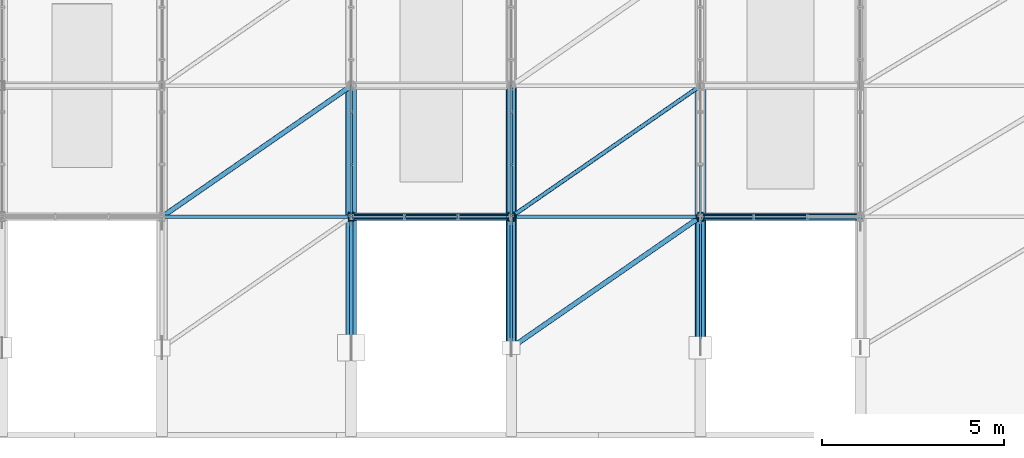
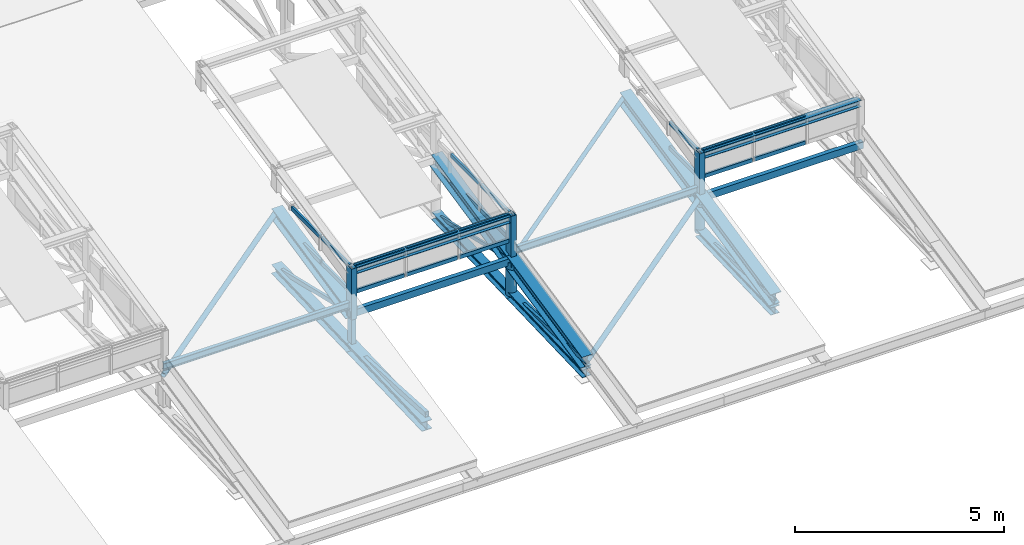
# One storey, part 35 of 124: 50 members, 5 elements without a shape of their own.
"""IFC4 building model written with IfcOpenShell, lengths in metres."""

from ifc_helpers import new_model, si_unit, direction, frame, origin, origin_2d, place, context, subcontext, project, spatial, hollow_rectangle, hollow_circle, i_section, extrude, material, layer, layer_set, material_profile, profile_set, type_object, element, aggregate, save


model = new_model("IFC4")

# Units and contexts
model_context = context("Model", 3, precision=1e-05, world=origin(), true_north=direction((0.0, 1.0)))
body_context = subcontext(model_context, "Body", "Model", "MODEL_VIEW")
ifc_project = project(units=[si_unit("LENGTHUNIT", "METRE"), si_unit("AREAUNIT", "SQUARE_METRE"), si_unit("VOLUMEUNIT", "CUBIC_METRE"), si_unit("PLANEANGLEUNIT", "RADIAN"), si_unit("MASSUNIT", "GRAM", prefix="KILO"), si_unit("THERMODYNAMICTEMPERATUREUNIT", "KELVIN"), si_unit("POWERUNIT", "WATT")], contexts=[model_context])

# Site, building, storey
site_placement = place(None, origin())
site = spatial("IfcSite", under=ifc_project, at=site_placement, CompositionType="ELEMENT")
building_placement = place(site_placement, origin())
building = spatial("IfcBuilding", under=site, at=building_placement, Name="Tavuni Mirador Residences", CompositionType="ELEMENT")
storey_placement = place(building_placement, frame((0.0, 0.0, 7.64990234375)))
storey = spatial("IfcBuildingStorey", under=building, at=storey_placement, Name="L02", CompositionType="ELEMENT", Elevation=7.64990234375)

# Curtain wall, members
ifc_material_1 = material(Name="Anodised aluminium", Category="aluminium")
ifc_layer = layer(ifc_material_1, 0.199951171875, Name="Anodised aluminium", Category="aluminium")
ifc_layer_set = layer_set([ifc_layer], Name="Anodised aluminium")
curtain_wall_type = type_object("IfcCurtainWallType", Name="CWT-HAL-01", PredefinedType="NOTDEFINED", material=ifc_layer_set)
curtain_wall_1_placement = place(storey_placement, origin())
curtain_wall_1 = element("IfcCurtainWall", 1, at=curtain_wall_1_placement, inside=storey, type_object=curtain_wall_type, Name="CW-HALL-MON-S2-W", PredefinedType="NOTDEFINED")
ifc_material_profile_1 = material_profile(ifc_material_1, hollow_rectangle(XDim=0.06005859375, YDim=0.110107421875, WallThickness=0.00390625, at=origin_2d()), Name="ALU 60x110x4.0", Category="aluminium")
ifc_profile_set_1 = profile_set([ifc_material_profile_1], Name="Anodised aluminium")
member_type_1 = type_object("IfcMemberType", Name="CWT-110", PredefinedType="USERDEFINED", material=ifc_profile_set_1)
member_1_placement = place(storey_placement, frame((54.39990234375, 75.659912109375, 1.205078125), z_axis=(0.0, 1.0, 0.0), x_axis=(-1.0, 0.0, 0.0)))
member_1 = element("IfcMember", 2, at=member_1_placement, type_object=member_type_1, Name="CW-06 transom 1.1", ObjectType="TRANSOM", PredefinedType="USERDEFINED", context=body_context, shape_type="SweptSolid", body=[
    extrude(hollow_rectangle(XDim=0.06005859375, YDim=0.110107421875, WallThickness=0.00390625, at=origin_2d()), origin(), (0.0, 0.0, 1.0), 1.35009765625),
])
member_2_placement = place(storey_placement, frame((54.39990234375, 75.659912109375, 1.93505859375), z_axis=(0.0, 1.0, 0.0), x_axis=(-1.0, 0.0, 0.0)))
member_2 = element("IfcMember", 3, at=member_2_placement, type_object=member_type_1, Name="CW-06 transom 1.2", ObjectType="TRANSOM", PredefinedType="USERDEFINED", context=body_context, shape_type="SweptSolid", body=[
    extrude(hollow_rectangle(XDim=0.06005859375, YDim=0.110107421875, WallThickness=0.00390625, at=origin_2d()), origin(), (0.0, 0.0, 1.0), 1.35009765625),
])
member_3_placement = place(storey_placement, frame((54.39990234375, 77.070068359375, 1.205078125), z_axis=(0.0, 1.0, 0.0), x_axis=(-1.0, 0.0, 0.0)))
member_3 = element("IfcMember", 4, at=member_3_placement, type_object=member_type_1, Name="CW-06 transom 2.1", ObjectType="TRANSOM", PredefinedType="USERDEFINED", context=body_context, shape_type="SweptSolid", body=[
    extrude(hollow_rectangle(XDim=0.06005859375, YDim=0.110107421875, WallThickness=0.00390625, at=origin_2d()), origin(), (0.0, 0.0, 1.0), 1.3798828125),
])
member_4_placement = place(storey_placement, frame((54.39990234375, 77.070068359375, 1.93505859375), z_axis=(0.0, 1.0, 0.0), x_axis=(-1.0, 0.0, 0.0)))
member_4 = element("IfcMember", 5, at=member_4_placement, type_object=member_type_1, Name="CW-06 transom 2.2", ObjectType="TRANSOM", PredefinedType="USERDEFINED", context=body_context, shape_type="SweptSolid", body=[
    extrude(hollow_rectangle(XDim=0.06005859375, YDim=0.110107421875, WallThickness=0.00390625, at=origin_2d()), origin(), (0.0, 0.0, 1.0), 1.3798828125),
])
aggregate(curtain_wall_1, [member_1, member_2, member_3, member_4])

curtain_wall_2_placement = place(storey_placement, origin())
curtain_wall_2 = element("IfcCurtainWall", 6, at=curtain_wall_2_placement, inside=storey, type_object=curtain_wall_type, Name="CW-HALL-MON-S2-E", PredefinedType="NOTDEFINED")
member_5_placement = place(storey_placement, frame((58.800048828125, 75.659912109375, 1.205078125), z_axis=(0.0, 1.0, 0.0), x_axis=(-1.0, 0.0, 0.0)))
member_5 = element("IfcMember", 7, at=member_5_placement, type_object=member_type_1, Name="CW-06 transom 1.1", ObjectType="TRANSOM", PredefinedType="USERDEFINED", context=body_context, shape_type="SweptSolid", body=[
    extrude(hollow_rectangle(XDim=0.06005859375, YDim=0.110107421875, WallThickness=0.00390625, at=origin_2d()), origin(), (0.0, 0.0, 1.0), 1.35009765625),
])
member_6_placement = place(storey_placement, frame((58.800048828125, 75.659912109375, 1.93505859375), z_axis=(0.0, 1.0, 0.0), x_axis=(-1.0, 0.0, 0.0)))
member_6 = element("IfcMember", 8, at=member_6_placement, type_object=member_type_1, Name="CW-06 transom 1.2", ObjectType="TRANSOM", PredefinedType="USERDEFINED", context=body_context, shape_type="SweptSolid", body=[
    extrude(hollow_rectangle(XDim=0.06005859375, YDim=0.110107421875, WallThickness=0.00390625, at=origin_2d()), origin(), (0.0, 0.0, 1.0), 1.35009765625),
])
member_7_placement = place(storey_placement, frame((58.800048828125, 77.070068359375, 1.205078125), z_axis=(0.0, 1.0, 0.0), x_axis=(-1.0, 0.0, 0.0)))
member_7 = element("IfcMember", 9, at=member_7_placement, type_object=member_type_1, Name="CW-06 transom 2.1", ObjectType="TRANSOM", PredefinedType="USERDEFINED", context=body_context, shape_type="SweptSolid", body=[
    extrude(hollow_rectangle(XDim=0.06005859375, YDim=0.110107421875, WallThickness=0.00390625, at=origin_2d()), origin(), (0.0, 0.0, 1.0), 1.3798828125),
])
member_8_placement = place(storey_placement, frame((58.800048828125, 77.070068359375, 1.93505859375), z_axis=(0.0, 1.0, 0.0), x_axis=(-1.0, 0.0, 0.0)))
member_8 = element("IfcMember", 10, at=member_8_placement, type_object=member_type_1, Name="CW-06 transom 2.2", ObjectType="TRANSOM", PredefinedType="USERDEFINED", context=body_context, shape_type="SweptSolid", body=[
    extrude(hollow_rectangle(XDim=0.06005859375, YDim=0.110107421875, WallThickness=0.00390625, at=origin_2d()), origin(), (0.0, 0.0, 1.0), 1.3798828125),
])
aggregate(curtain_wall_2, [member_5, member_6, member_7, member_8])

curtain_wall_3_placement = place(storey_placement, origin())
curtain_wall_3 = element("IfcCurtainWall", 11, at=curtain_wall_3_placement, inside=storey, type_object=curtain_wall_type, Name="CW-HALL-MON-S2-END", PredefinedType="NOTDEFINED")
member_9_placement = place(storey_placement, frame((54.4599609375, 75.60009765625, 1.205078125), z_axis=(1.0, 0.0, 0.0), x_axis=(0.0, 1.0, 0.0)))
member_9 = element("IfcMember", 12, at=member_9_placement, type_object=member_type_1, Name="CW-06 transom 1.1", ObjectType="TRANSOM", PredefinedType="USERDEFINED", context=body_context, shape_type="SweptSolid", body=[
    extrude(hollow_rectangle(XDim=0.06005859375, YDim=0.110107421875, WallThickness=0.00390625, at=origin_2d()), origin(), (0.0, 0.0, 1.0), 1.376708984375),
])
member_10_placement = place(storey_placement, frame((54.4599609375, 75.60009765625, 1.93505859375), z_axis=(1.0, 0.0, 0.0), x_axis=(0.0, 1.0, 0.0)))
member_10 = element("IfcMember", 13, at=member_10_placement, type_object=member_type_1, Name="CW-06 transom 1.2", ObjectType="TRANSOM", PredefinedType="USERDEFINED", context=body_context, shape_type="SweptSolid", body=[
    extrude(hollow_rectangle(XDim=0.06005859375, YDim=0.110107421875, WallThickness=0.00390625, at=origin_2d()), origin(), (0.0, 0.0, 1.0), 1.376708984375),
])
member_11_placement = place(storey_placement, frame((55.896728515625, 75.60009765625, 1.205078125), z_axis=(1.0, 0.0, 0.0), x_axis=(0.0, 1.0, 0.0)))
member_11 = element("IfcMember", 14, at=member_11_placement, type_object=member_type_1, Name="CW-06 transom 2.1", ObjectType="TRANSOM", PredefinedType="USERDEFINED", context=body_context, shape_type="SweptSolid", body=[
    extrude(hollow_rectangle(XDim=0.06005859375, YDim=0.110107421875, WallThickness=0.00390625, at=origin_2d()), origin(), (0.0, 0.0, 1.0), 1.406494140625),
])
member_12_placement = place(storey_placement, frame((55.896728515625, 75.60009765625, 1.93505859375), z_axis=(1.0, 0.0, 0.0), x_axis=(0.0, 1.0, 0.0)))
member_12 = element("IfcMember", 15, at=member_12_placement, type_object=member_type_1, Name="CW-06 transom 2.2", ObjectType="TRANSOM", PredefinedType="USERDEFINED", context=body_context, shape_type="SweptSolid", body=[
    extrude(hollow_rectangle(XDim=0.06005859375, YDim=0.110107421875, WallThickness=0.00390625, at=origin_2d()), origin(), (0.0, 0.0, 1.0), 1.406494140625),
])
member_13_placement = place(storey_placement, frame((57.36328125, 75.60009765625, 1.205078125), z_axis=(1.0, 0.0, 0.0), x_axis=(0.0, 1.0, 0.0)))
member_13 = element("IfcMember", 16, at=member_13_placement, type_object=member_type_1, Name="CW-06 transom 3.1", ObjectType="TRANSOM", PredefinedType="USERDEFINED", context=body_context, shape_type="SweptSolid", body=[
    extrude(hollow_rectangle(XDim=0.06005859375, YDim=0.110107421875, WallThickness=0.00390625, at=origin_2d()), origin(), (0.0, 0.0, 1.0), 1.376708984375),
])
member_14_placement = place(storey_placement, frame((57.36328125, 75.60009765625, 1.93505859375), z_axis=(1.0, 0.0, 0.0), x_axis=(0.0, 1.0, 0.0)))
member_14 = element("IfcMember", 17, at=member_14_placement, type_object=member_type_1, Name="CW-06 transom 3.2", ObjectType="TRANSOM", PredefinedType="USERDEFINED", context=body_context, shape_type="SweptSolid", body=[
    extrude(hollow_rectangle(XDim=0.06005859375, YDim=0.110107421875, WallThickness=0.00390625, at=origin_2d()), origin(), (0.0, 0.0, 1.0), 1.376708984375),
])
aggregate(curtain_wall_3, [member_9, member_10, member_11, member_12, member_13, member_14])

curtain_wall_4_placement = place(storey_placement, origin())
curtain_wall_4 = element("IfcCurtainWall", 18, at=curtain_wall_4_placement, inside=storey, type_object=curtain_wall_type, Name="CW-HALL-MON-S3-W", PredefinedType="NOTDEFINED")
member_15_placement = place(storey_placement, frame((64.0, 75.659912109375, 1.205078125), z_axis=(0.0, 1.0, 0.0), x_axis=(-1.0, 0.0, 0.0)))
member_15 = element("IfcMember", 19, at=member_15_placement, type_object=member_type_1, Name="CW-06 transom 1.1", ObjectType="TRANSOM", PredefinedType="USERDEFINED", context=body_context, shape_type="SweptSolid", body=[
    extrude(hollow_rectangle(XDim=0.06005859375, YDim=0.110107421875, WallThickness=0.00390625, at=origin_2d()), origin(), (0.0, 0.0, 1.0), 1.35009765625),
])
member_16_placement = place(storey_placement, frame((64.0, 75.659912109375, 1.93505859375), z_axis=(0.0, 1.0, 0.0), x_axis=(-1.0, 0.0, 0.0)))
member_16 = element("IfcMember", 20, at=member_16_placement, type_object=member_type_1, Name="CW-06 transom 1.2", ObjectType="TRANSOM", PredefinedType="USERDEFINED", context=body_context, shape_type="SweptSolid", body=[
    extrude(hollow_rectangle(XDim=0.06005859375, YDim=0.110107421875, WallThickness=0.00390625, at=origin_2d()), origin(), (0.0, 0.0, 1.0), 1.35009765625),
])
aggregate(curtain_wall_4, [member_15, member_16])

curtain_wall_5_placement = place(storey_placement, origin())
curtain_wall_5 = element("IfcCurtainWall", 21, at=curtain_wall_5_placement, inside=storey, type_object=curtain_wall_type, Name="CW-HALL-MON-S3-END", PredefinedType="NOTDEFINED")
member_17_placement = place(storey_placement, frame((64.06005859375, 75.60009765625, 1.205078125), z_axis=(1.0, 0.0, 0.0), x_axis=(0.0, 1.0, 0.0)))
member_17 = element("IfcMember", 22, at=member_17_placement, type_object=member_type_1, Name="CW-06 transom 1.1", ObjectType="TRANSOM", PredefinedType="USERDEFINED", context=body_context, shape_type="SweptSolid", body=[
    extrude(hollow_rectangle(XDim=0.06005859375, YDim=0.110107421875, WallThickness=0.00390625, at=origin_2d()), origin(), (0.0, 0.0, 1.0), 1.376708984375),
])
member_18_placement = place(storey_placement, frame((64.06005859375, 75.60009765625, 1.93505859375), z_axis=(1.0, 0.0, 0.0), x_axis=(0.0, 1.0, 0.0)))
member_18 = element("IfcMember", 23, at=member_18_placement, type_object=member_type_1, Name="CW-06 transom 1.2", ObjectType="TRANSOM", PredefinedType="USERDEFINED", context=body_context, shape_type="SweptSolid", body=[
    extrude(hollow_rectangle(XDim=0.06005859375, YDim=0.110107421875, WallThickness=0.00390625, at=origin_2d()), origin(), (0.0, 0.0, 1.0), 1.376708984375),
])
member_19_placement = place(storey_placement, frame((65.49658203125, 75.60009765625, 1.205078125), z_axis=(1.0, 0.0, 0.0), x_axis=(0.0, 1.0, 0.0)))
member_19 = element("IfcMember", 24, at=member_19_placement, type_object=member_type_1, Name="CW-06 transom 2.1", ObjectType="TRANSOM", PredefinedType="USERDEFINED", context=body_context, shape_type="SweptSolid", body=[
    extrude(hollow_rectangle(XDim=0.06005859375, YDim=0.110107421875, WallThickness=0.00390625, at=origin_2d()), origin(), (0.0, 0.0, 1.0), 1.40673828125),
])
member_20_placement = place(storey_placement, frame((65.49658203125, 75.60009765625, 1.93505859375), z_axis=(1.0, 0.0, 0.0), x_axis=(0.0, 1.0, 0.0)))
member_20 = element("IfcMember", 25, at=member_20_placement, type_object=member_type_1, Name="CW-06 transom 2.2", ObjectType="TRANSOM", PredefinedType="USERDEFINED", context=body_context, shape_type="SweptSolid", body=[
    extrude(hollow_rectangle(XDim=0.06005859375, YDim=0.110107421875, WallThickness=0.00390625, at=origin_2d()), origin(), (0.0, 0.0, 1.0), 1.40673828125),
])
aggregate(curtain_wall_5, [member_17, member_18, member_19, member_20])

# Members
ifc_material_2 = material(Name="Structural steel S355", Category="steel")
ifc_material_profile_2 = material_profile(ifc_material_2, hollow_circle(Radius=0.05712890625, WallThickness=0.00634765625, at=origin_2d()), Name="CHS 114.3x6.3", Category="steel")
ifc_profile_set_2 = profile_set([ifc_material_profile_2], Name="Structural steel S355")
member_type_2 = type_object("IfcMemberType", Name="MT-BR-CHS114", PredefinedType="BRACE", material=ifc_profile_set_2)
member_21_placement = place(storey_placement, frame((58.800048828125, 75.60009765625, 0.60498046875), z_axis=(0.816093743488, 0.564970291926, 0.121653487749), x_axis=(-0.569197934703, 0.822200529755, 0.0)))
element("IfcMember", 26, at=member_21_placement, inside=storey, type_object=member_type_2, Name="HALL-RB-3-02", PredefinedType="BRACE", context=body_context, shape_type="SweptSolid", body=[
    extrude(hollow_circle(Radius=0.05712890625, WallThickness=0.00634765625, at=origin_2d()), origin(), (0.0, 0.0, 1.0), 6.371826171875),
])
ifc_material_profile_3 = material_profile(ifc_material_2, hollow_circle(Radius=0.06982421875, WallThickness=0.008056640625, at=origin_2d()), Name="CHS 139.7x8.0", Category="steel")
ifc_profile_set_3 = profile_set([ifc_material_profile_3], Name="Structural steel S355")
member_type_3 = type_object("IfcMemberType", Name="MT-BR-CHS139", PredefinedType="BRACE", material=ifc_profile_set_3)
for number, where, z_axis, x_axis, name in (
    (27, (49.199951171875, 75.60009765625, 0.60498046875), (0.816093743488, 0.564970291926, 0.121653487749), (-0.569197934703, 0.822200529755, 0.0), "HALL-RB-2-02"),
    (28, (58.800048828125, 72.0, -0.169921875), (0.81607988035, 0.564999010077, 0.12161310579), (-0.569224029849, 0.822182463838, 0.0), "HALL-RB-3-01"),
):
    element("IfcMember", number, at=place(storey_placement, frame(where, z_axis=z_axis, x_axis=x_axis)), inside=storey, type_object=member_type_3, Name=name, PredefinedType="BRACE", context=body_context, shape_type="SweptSolid", body=[
        extrude(hollow_circle(Radius=0.06982421875, WallThickness=0.008056640625, at=origin_2d()), origin(), (0.0, 0.0, 1.0), 6.371826171875),
    ])
ifc_material_profile_4 = material_profile(ifc_material_2, hollow_rectangle(XDim=0.06005859375, YDim=0.10009765625, WallThickness=0.0048828125, at=origin_2d()), Name="RHS 100x60x5.0", Category="steel")
ifc_profile_set_4 = profile_set([ifc_material_profile_4], Name="Structural steel S355")
member_type_4 = type_object("IfcMemberType", Name="MT-BR-RHS100", PredefinedType="BRACE", material=ifc_profile_set_4)
member_22_placement = place(storey_placement, frame((58.800048828125, 75.60009765625, 0.60498046875), z_axis=(0.0, 0.972935623557, -0.231076334601), x_axis=(-1.0, 0.0, 0.0)))
element("IfcMember", 29, at=member_22_placement, inside=storey, type_object=member_type_4, Name="Roof truss TR-5 web diagonal 2", PredefinedType="BRACE", context=body_context, shape_type="SweptSolid", body=[
    extrude(hollow_rectangle(XDim=0.06005859375, YDim=0.10009765625, WallThickness=0.0048828125, at=origin_2d()), origin(), (0.0, 0.0, 1.0), 3.699951171875),
])
member_23_placement = place(storey_placement, frame((64.0, 72.0, -0.169921875), z_axis=(0.0, 0.998381455169, -0.05687240081), x_axis=(-1.0, 0.0, 0.0)))
element("IfcMember", 30, at=member_23_placement, inside=storey, type_object=member_type_4, Name="Roof truss TR-6 web diagonal 1", PredefinedType="BRACE", context=body_context, shape_type="SweptSolid", body=[
    extrude(hollow_rectangle(XDim=0.06005859375, YDim=0.10009765625, WallThickness=0.0048828125, at=origin_2d()), origin(), (0.0, 0.0, 1.0), 3.60595703125),
])
ifc_material_profile_5 = material_profile(ifc_material_2, hollow_rectangle(XDim=0.080078125, YDim=0.1201171875, WallThickness=0.00634765625, at=origin_2d()), Name="RHS 120x80x6.3", Category="steel")
ifc_profile_set_5 = profile_set([ifc_material_profile_5], Name="Structural steel S355")
member_type_5 = type_object("IfcMemberType", Name="MT-BR-RHS120", PredefinedType="BRACE", material=ifc_profile_set_5)
member_24_placement = place(storey_placement, frame((54.39990234375, 75.60009765625, 0.60498046875), z_axis=(0.0, 0.972935623557, -0.231076334601), x_axis=(-1.0, 0.0, 0.0)))
element("IfcMember", 31, at=member_24_placement, inside=storey, type_object=member_type_5, Name="Roof truss TR-4 web diagonal 2", PredefinedType="BRACE", context=body_context, shape_type="SweptSolid", body=[
    extrude(hollow_rectangle(XDim=0.080078125, YDim=0.1201171875, WallThickness=0.00634765625, at=origin_2d()), origin(), (0.0, 0.0, 1.0), 3.699951171875),
])
member_25_placement = place(storey_placement, frame((58.800048828125, 72.0, -0.169921875), z_axis=(0.0, 0.998381455169, -0.05687240081), x_axis=(-1.0, 0.0, 0.0)))
element("IfcMember", 32, at=member_25_placement, inside=storey, type_object=member_type_5, Name="Roof truss TR-5 web diagonal 1", PredefinedType="BRACE", context=body_context, shape_type="SweptSolid", body=[
    extrude(hollow_rectangle(XDim=0.080078125, YDim=0.1201171875, WallThickness=0.00634765625, at=origin_2d()), origin(), (0.0, 0.0, 1.0), 3.60595703125),
])
ifc_material_profile_6 = material_profile(ifc_material_2, hollow_rectangle(XDim=0.10009765625, YDim=0.14990234375, WallThickness=0.008056640625, at=origin_2d()), Name="RHS 150x100x8.0", Category="steel")
ifc_profile_set_6 = profile_set([ifc_material_profile_6], Name="Structural steel S355")
member_type_6 = type_object("IfcMemberType", Name="MT-BR-RHS150", PredefinedType="BRACE", material=ifc_profile_set_6)
member_26_placement = place(storey_placement, frame((54.39990234375, 72.0, -0.169921875), z_axis=(0.0, 0.998381455169, -0.05687240081), x_axis=(-1.0, 0.0, 0.0)))
element("IfcMember", 33, at=member_26_placement, inside=storey, type_object=member_type_6, Name="Roof truss TR-4 web diagonal 1", PredefinedType="BRACE", context=body_context, shape_type="SweptSolid", body=[
    extrude(hollow_rectangle(XDim=0.10009765625, YDim=0.14990234375, WallThickness=0.008056640625, at=origin_2d()), origin(), (0.0, 0.0, 1.0), 3.60595703125),
])
ifc_material_profile_7 = material_profile(ifc_material_2, i_section(OverallWidth=0.239990234375, OverallDepth=0.22998046875, WebThickness=0.007568359375, FlangeThickness=0.011962890625, FilletRadius=0.02099609375, at=origin_2d()), Name="HEA 240", Category="steel")
ifc_profile_set_7 = profile_set([ifc_material_profile_7], Name="Structural steel S355")
member_type_7 = type_object("IfcMemberType", Name="MT-CH-HEA240", PredefinedType="CHORD", material=ifc_profile_set_7)
member_27_placement = place(storey_placement, frame((58.800048828125, 72.0, -0.5), z_axis=(0.0, 0.999397760821, 0.034700369832), x_axis=(-1.0, 0.0, 0.0)))
element("IfcMember", 34, at=member_27_placement, inside=storey, type_object=member_type_7, Name="Roof truss TR-5 bottom chord 1", PredefinedType="CHORD", context=body_context, shape_type="SweptSolid", body=[
    extrude(i_section(OverallWidth=0.239990234375, OverallDepth=0.22998046875, WebThickness=0.007568359375, FlangeThickness=0.011962890625, FilletRadius=0.02099609375, at=origin_2d()), origin(), (0.0, 0.0, 1.0), 3.602294921875),
])
member_28_placement = place(storey_placement, frame((58.800048828125, 75.60009765625, -0.375), z_axis=(0.0, 0.999397679205, 0.034702720363), x_axis=(-1.0, 0.0, 0.0)))
element("IfcMember", 35, at=member_28_placement, inside=storey, type_object=member_type_7, Name="Roof truss TR-5 bottom chord 2", PredefinedType="CHORD", context=body_context, shape_type="SweptSolid", body=[
    extrude(i_section(OverallWidth=0.239990234375, OverallDepth=0.22998046875, WebThickness=0.007568359375, FlangeThickness=0.011962890625, FilletRadius=0.02099609375, at=origin_2d()), origin(), (0.0, 0.0, 1.0), 3.60205078125),
])
member_29_placement = place(storey_placement, frame((64.0, 72.0, -0.5), z_axis=(0.0, 0.999397760821, 0.034700369832), x_axis=(-1.0, 0.0, 0.0)))
element("IfcMember", 36, at=member_29_placement, inside=storey, type_object=member_type_7, Name="Roof truss TR-6 bottom chord 1", PredefinedType="CHORD", context=body_context, shape_type="SweptSolid", body=[
    extrude(i_section(OverallWidth=0.239990234375, OverallDepth=0.22998046875, WebThickness=0.007568359375, FlangeThickness=0.011962890625, FilletRadius=0.02099609375, at=origin_2d()), origin(), (0.0, 0.0, 1.0), 3.602294921875),
])
ifc_material_profile_8 = material_profile(ifc_material_2, i_section(OverallWidth=0.280029296875, OverallDepth=0.27001953125, WebThickness=0.008056640625, FlangeThickness=0.012939453125, FilletRadius=0.02392578125, at=origin_2d()), Name="HEA 280", Category="steel")
ifc_profile_set_8 = profile_set([ifc_material_profile_8], Name="Structural steel S355")
member_type_8 = type_object("IfcMemberType", Name="MT-CH-HEA280", PredefinedType="CHORD", material=ifc_profile_set_8)
member_30_placement = place(storey_placement, frame((54.39990234375, 72.0, -0.5), z_axis=(0.0, 0.999397760821, 0.034700369832), x_axis=(-1.0, 0.0, 0.0)))
element("IfcMember", 37, at=member_30_placement, inside=storey, type_object=member_type_8, Name="Roof truss TR-4 bottom chord 1", PredefinedType="CHORD", context=body_context, shape_type="SweptSolid", body=[
    extrude(i_section(OverallWidth=0.280029296875, OverallDepth=0.27001953125, WebThickness=0.008056640625, FlangeThickness=0.012939453125, FilletRadius=0.02392578125, at=origin_2d()), origin(), (0.0, 0.0, 1.0), 3.602294921875),
])
member_31_placement = place(storey_placement, frame((54.39990234375, 75.60009765625, -0.375), z_axis=(0.0, 0.999397679205, 0.034702720363), x_axis=(-1.0, 0.0, 0.0)))
element("IfcMember", 38, at=member_31_placement, inside=storey, type_object=member_type_8, Name="Roof truss TR-4 bottom chord 2", PredefinedType="CHORD", context=body_context, shape_type="SweptSolid", body=[
    extrude(i_section(OverallWidth=0.280029296875, OverallDepth=0.27001953125, WebThickness=0.008056640625, FlangeThickness=0.012939453125, FilletRadius=0.02392578125, at=origin_2d()), origin(), (0.0, 0.0, 1.0), 3.60205078125),
])
ifc_material_profile_9 = material_profile(ifc_material_2, i_section(OverallWidth=0.300048828125, OverallDepth=0.389892578125, WebThickness=0.010986328125, FlangeThickness=0.01904296875, FilletRadius=0.027099609375, at=origin_2d()), Name="HEA 400", Category="steel")
ifc_profile_set_9 = profile_set([ifc_material_profile_9], Name="Structural steel S355")
member_type_9 = type_object("IfcMemberType", Name="MT-CH-HEA400", PredefinedType="CHORD", material=ifc_profile_set_9)
member_32_placement = place(storey_placement, frame((58.800048828125, 72.0, -0.169921875), z_axis=(0.0, 0.977609904647, 0.210425460284), x_axis=(-1.0, 0.0, 0.0)))
element("IfcMember", 39, at=member_32_placement, inside=storey, type_object=member_type_9, Name="Roof truss TR-5 top chord 1", PredefinedType="CHORD", context=body_context, shape_type="SweptSolid", body=[
    extrude(i_section(OverallWidth=0.300048828125, OverallDepth=0.389892578125, WebThickness=0.010986328125, FlangeThickness=0.01904296875, FilletRadius=0.027099609375, at=origin_2d()), origin(), (0.0, 0.0, 1.0), 3.6826171875),
])
member_33_placement = place(storey_placement, frame((58.800048828125, 75.60009765625, 0.60498046875), z_axis=(0.0, 0.977593327089, 0.210502462768), x_axis=(-1.0, 0.0, 0.0)))
element("IfcMember", 40, at=member_33_placement, inside=storey, type_object=member_type_9, Name="Roof truss TR-5 top chord 2", PredefinedType="CHORD", context=body_context, shape_type="SweptSolid", body=[
    extrude(i_section(OverallWidth=0.300048828125, OverallDepth=0.389892578125, WebThickness=0.010986328125, FlangeThickness=0.01904296875, FilletRadius=0.027099609375, at=origin_2d()), origin(), (0.0, 0.0, 1.0), 3.682373046875),
])
member_34_placement = place(storey_placement, frame((64.0, 72.0, -0.169921875), z_axis=(0.0, 0.977609904647, 0.210425460284), x_axis=(-1.0, 0.0, 0.0)))
element("IfcMember", 41, at=member_34_placement, inside=storey, type_object=member_type_9, Name="Roof truss TR-6 top chord 1", PredefinedType="CHORD", context=body_context, shape_type="SweptSolid", body=[
    extrude(i_section(OverallWidth=0.300048828125, OverallDepth=0.389892578125, WebThickness=0.010986328125, FlangeThickness=0.01904296875, FilletRadius=0.027099609375, at=origin_2d()), origin(), (0.0, 0.0, 1.0), 3.6826171875),
])
member_35_placement = place(storey_placement, frame((64.0, 75.60009765625, 0.60498046875), z_axis=(0.0, 0.977593327089, 0.210502462768), x_axis=(-1.0, 0.0, 0.0)))
element("IfcMember", 42, at=member_35_placement, inside=storey, type_object=member_type_9, Name="Roof truss TR-6 top chord 2", PredefinedType="CHORD", context=body_context, shape_type="SweptSolid", body=[
    extrude(i_section(OverallWidth=0.300048828125, OverallDepth=0.389892578125, WebThickness=0.010986328125, FlangeThickness=0.01904296875, FilletRadius=0.027099609375, at=origin_2d()), origin(), (0.0, 0.0, 1.0), 3.682373046875),
])
ifc_material_profile_10 = material_profile(ifc_material_2, i_section(OverallWidth=0.300048828125, OverallDepth=0.320068359375, WebThickness=0.011474609375, FlangeThickness=0.0205078125, FilletRadius=0.027099609375, at=origin_2d()), Name="HEB 320", Category="steel")
ifc_profile_set_10 = profile_set([ifc_material_profile_10], Name="Structural steel S355")
member_type_10 = type_object("IfcMemberType", Name="MT-CH-HEB320", PredefinedType="CHORD", material=ifc_profile_set_10)
member_36_placement = place(storey_placement, frame((54.39990234375, 75.60009765625, 0.60498046875), z_axis=(0.0, 0.977593327089, 0.210502462768), x_axis=(-1.0, 0.0, 0.0)))
element("IfcMember", 43, at=member_36_placement, inside=storey, type_object=member_type_10, Name="Roof truss TR-4 top chord 2", PredefinedType="CHORD", context=body_context, shape_type="SweptSolid", body=[
    extrude(i_section(OverallWidth=0.300048828125, OverallDepth=0.320068359375, WebThickness=0.011474609375, FlangeThickness=0.0205078125, FilletRadius=0.027099609375, at=origin_2d()), origin(), (0.0, 0.0, 1.0), 3.682373046875),
])
ifc_material_profile_11 = material_profile(ifc_material_2, i_section(OverallWidth=0.199951171875, OverallDepth=0.18994140625, WebThickness=0.006591796875, FlangeThickness=0.010009765625, FilletRadius=0.01806640625, at=origin_2d()), Name="HEA 200", Category="steel")
ifc_profile_set_11 = profile_set([ifc_material_profile_11], Name="Structural steel S355")
member_type_11 = type_object("IfcMemberType", Name="MT-PR-HEA200", PredefinedType="PURLIN", material=ifc_profile_set_11)
member_37_placement = place(storey_placement, frame((54.39990234375, 75.60009765625, 1.864990234375), z_axis=(1.0, 0.0, 0.0), x_axis=(0.0, 1.0, 0.0)))
element("IfcMember", 44, at=member_37_placement, inside=storey, type_object=member_type_11, Name="HALL-MPUR-2-S-1", PredefinedType="PURLIN", context=body_context, shape_type="SweptSolid", body=[
    extrude(i_section(OverallWidth=0.199951171875, OverallDepth=0.18994140625, WebThickness=0.006591796875, FlangeThickness=0.010009765625, FilletRadius=0.01806640625, at=origin_2d()), origin(), (0.0, 0.0, 1.0), 4.400146484375),
])
member_38_placement = place(storey_placement, frame((64.0, 75.60009765625, 1.864990234375), z_axis=(1.0, 0.0, 0.0), x_axis=(0.0, 1.0, 0.0)))
element("IfcMember", 45, at=member_38_placement, inside=storey, type_object=member_type_11, Name="HALL-MPUR-3-S-1", PredefinedType="PURLIN", context=body_context, shape_type="SweptSolid", body=[
    extrude(i_section(OverallWidth=0.199951171875, OverallDepth=0.18994140625, WebThickness=0.006591796875, FlangeThickness=0.010009765625, FilletRadius=0.01806640625, at=origin_2d()), origin(), (0.0, 0.0, 1.0), 4.39990234375),
])
ifc_material_profile_12 = material_profile(ifc_material_2, i_section(OverallWidth=0.10009765625, OverallDepth=0.199951171875, WebThickness=0.005615234375, FlangeThickness=0.008544921875, FilletRadius=0.011962890625, at=origin_2d()), Name="IPE 200", Category="steel")
ifc_profile_set_12 = profile_set([ifc_material_profile_12], Name="Structural steel S355")
member_type_12 = type_object("IfcMemberType", Name="MT-PR-IPE200", PredefinedType="PURLIN", material=ifc_profile_set_12)
for number, where, z_axis, x_axis, name in (
    (46, (49.199951171875, 75.60009765625, 0.8701171875), (1.0, 0.0, 0.0), (0.0, 1.0, 0.0), "HALL-PUR-00-S2-1"),
    (47, (58.800048828125, 75.60009765625, 0.8701171875), (1.0, 0.0, 0.0), (0.0, 1.0, 0.0), "HALL-PUR-00-S3-1"),
):
    element("IfcMember", number, at=place(storey_placement, frame(where, z_axis=z_axis, x_axis=x_axis)), inside=storey, type_object=member_type_12, Name=name, PredefinedType="PURLIN", context=body_context, shape_type="SweptSolid", body=[
        extrude(i_section(OverallWidth=0.10009765625, OverallDepth=0.199951171875, WebThickness=0.005615234375, FlangeThickness=0.008544921875, FilletRadius=0.011962890625, at=origin_2d()), origin(), (0.0, 0.0, 1.0), 5.199951171875),
    ])
ifc_material_profile_13 = material_profile(ifc_material_2, hollow_circle(Radius=0.122314453125, WallThickness=0.012451171875, at=origin_2d()), Name="CHS 244.5x12.5", Category="steel")
ifc_profile_set_13 = profile_set([ifc_material_profile_13], Name="Structural steel S355")
member_type_13 = type_object("IfcMemberType", Name="MT-ST-CHS244", PredefinedType="STRUT", material=ifc_profile_set_13)
member_39_placement = place(storey_placement, frame((64.0, 75.60009765625, -0.375), z_axis=(0.0, 0.0, 1.0), x_axis=(1.0, 0.0, 0.0)))
element("IfcMember", 48, at=member_39_placement, inside=storey, type_object=member_type_13, Name="Roof truss TR-6 vertical 2", PredefinedType="STRUT", context=body_context, shape_type="SweptSolid", body=[
    extrude(hollow_circle(Radius=0.122314453125, WallThickness=0.012451171875, at=origin_2d()), origin(), (0.0, 0.0, 1.0), 0.97998046875),
])
ifc_material_profile_14 = material_profile(ifc_material_2, hollow_circle(Radius=0.136474609375, WallThickness=0.012451171875, at=origin_2d()), Name="CHS 273.0x12.5", Category="steel")
ifc_profile_set_14 = profile_set([ifc_material_profile_14], Name="Structural steel S355")
member_type_14 = type_object("IfcMemberType", Name="MT-ST-CHS273", PredefinedType="STRUT", material=ifc_profile_set_14)
member_40_placement = place(storey_placement, frame((58.800048828125, 75.60009765625, -0.375), z_axis=(0.0, 0.0, 1.0), x_axis=(1.0, 0.0, 0.0)))
element("IfcMember", 49, at=member_40_placement, inside=storey, type_object=member_type_14, Name="Roof truss TR-5 vertical 2", PredefinedType="STRUT", context=body_context, shape_type="SweptSolid", body=[
    extrude(hollow_circle(Radius=0.136474609375, WallThickness=0.012451171875, at=origin_2d()), origin(), (0.0, 0.0, 1.0), 0.97998046875),
])
ifc_material_profile_15 = material_profile(ifc_material_2, hollow_rectangle(XDim=0.1201171875, YDim=0.199951171875, WallThickness=0.010009765625, at=origin_2d()), Name="RHS 200x120x10.0", Category="steel")
ifc_profile_set_15 = profile_set([ifc_material_profile_15], Name="Structural steel S355")
member_type_15 = type_object("IfcMemberType", Name="MT-ST-RHS200", PredefinedType="STRUT", material=ifc_profile_set_15)
member_41_placement = place(storey_placement, frame((54.39990234375, 75.60009765625, -0.375), z_axis=(0.0, 0.0, 1.0), x_axis=(1.0, 0.0, 0.0)))
element("IfcMember", 50, at=member_41_placement, inside=storey, type_object=member_type_15, Name="Roof truss TR-4 vertical 2", PredefinedType="STRUT", context=body_context, shape_type="SweptSolid", body=[
    extrude(hollow_rectangle(XDim=0.1201171875, YDim=0.199951171875, WallThickness=0.010009765625, at=origin_2d()), origin(), (0.0, 0.0, 1.0), 0.97998046875),
])
member_42_placement = place(storey_placement, frame((54.320068359375, 75.60009765625, 0.60498046875), z_axis=(1.0, 0.0, 0.0), x_axis=(0.0, 1.0, 0.0)))
element("IfcMember", 51, at=member_42_placement, inside=storey, type_object=member_type_15, Name="HALL-MTIE-2-01", PredefinedType="STRUT", context=body_context, shape_type="SweptSolid", body=[
    extrude(hollow_rectangle(XDim=0.1201171875, YDim=0.199951171875, WallThickness=0.010009765625, at=origin_2d()), origin(), (0.0, 0.0, 1.0), 4.559814453125),
])
member_43_placement = place(storey_placement, frame((63.919921875, 75.60009765625, 0.60498046875), z_axis=(1.0, 0.0, 0.0), x_axis=(0.0, 1.0, 0.0)))
element("IfcMember", 52, at=member_43_placement, inside=storey, type_object=member_type_15, Name="HALL-MTIE-3-01", PredefinedType="STRUT", context=body_context, shape_type="SweptSolid", body=[
    extrude(hollow_rectangle(XDim=0.1201171875, YDim=0.199951171875, WallThickness=0.010009765625, at=origin_2d()), origin(), (0.0, 0.0, 1.0), 4.56005859375),
])
ifc_material_profile_16 = material_profile(ifc_material_2, hollow_rectangle(XDim=0.14990234375, YDim=0.25, WallThickness=0.010009765625, at=origin_2d()), Name="RHS 250x150x10.0", Category="steel")
ifc_profile_set_16 = profile_set([ifc_material_profile_16], Name="Structural steel S355")
member_type_16 = type_object("IfcMemberType", Name="MT-ST-RHS250", PredefinedType="STRUT", material=ifc_profile_set_16)
for number, where, z_axis, x_axis, name in (
    (53, (54.39990234375, 75.60009765625, 0.485107421875), (0.0, 0.0, 1.0), (1.0, 0.0, 0.0), "HALL-MPST-2-S-W1"),
    (54, (58.800048828125, 75.60009765625, 0.485107421875), (0.0, 0.0, 1.0), (1.0, 0.0, 0.0), "HALL-MPST-2-S-E1"),
    (55, (64.0, 75.60009765625, 0.485107421875), (0.0, 0.0, 1.0), (1.0, 0.0, 0.0), "HALL-MPST-3-S-W1"),
):
    element("IfcMember", number, at=place(storey_placement, frame(where, z_axis=z_axis, x_axis=x_axis)), inside=storey, type_object=member_type_16, Name=name, PredefinedType="STRUT", context=body_context, shape_type="SweptSolid", body=[
        extrude(hollow_rectangle(XDim=0.14990234375, YDim=0.25, WallThickness=0.010009765625, at=origin_2d()), origin(), (0.0, 0.0, 1.0), 1.489990234375),
    ])

save(model, "model.ifc")
